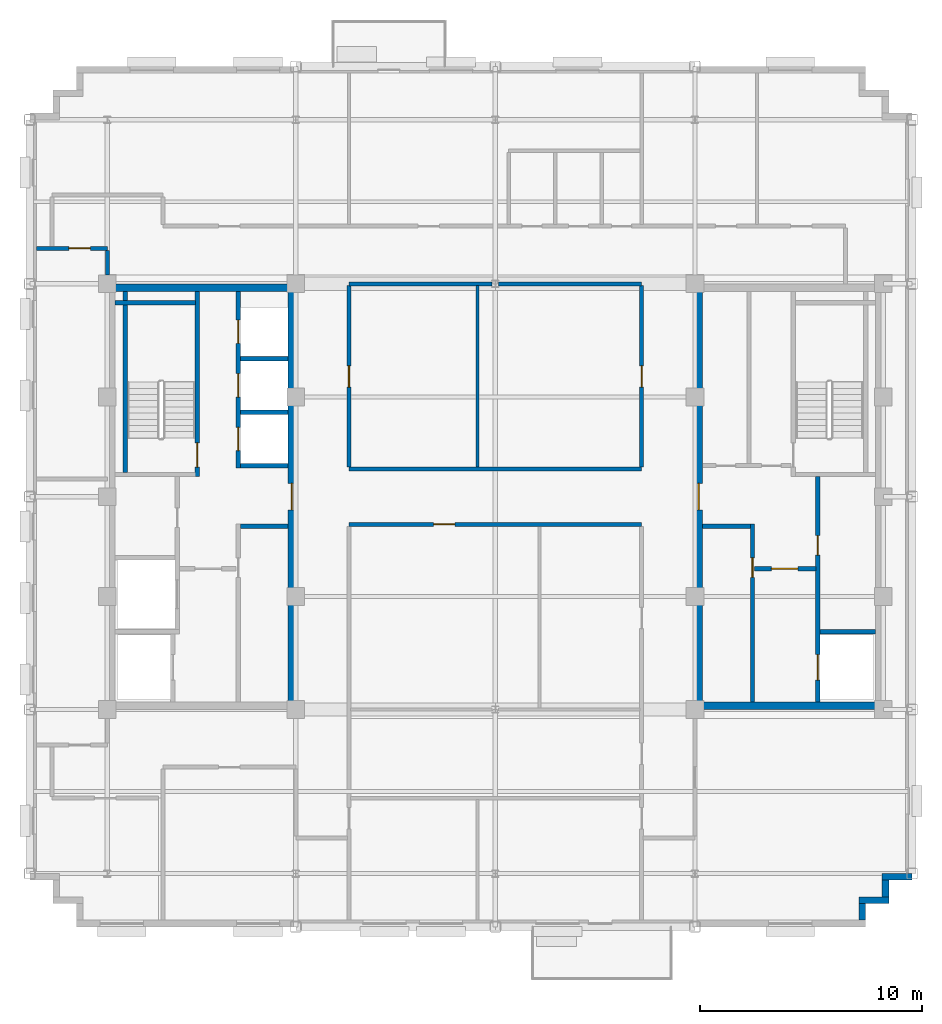
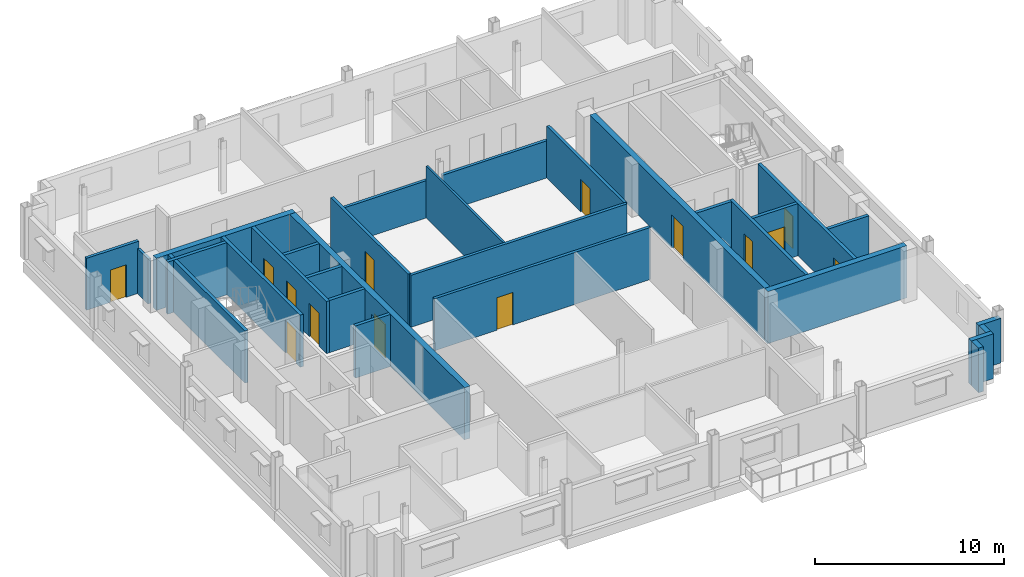
# One storey, part 7 of 13: 30 walls, 14 doors, 14 openings.
"""IFC4 building model written with IfcOpenShell, lengths in metres."""

from ifc_helpers import new_model, si_unit, direction, frame, frame_2d, origin, place, context, subcontext, project, spatial, rectangle, extrude, source, transform, mapped, material, layer, layer_set, type_object, type_shapes, element, fill, save


model = new_model("IFC4")

# Units and contexts
model_context = context("Model", 3, precision=1e-05, world=origin(), true_north=direction((0.0, 1.0)))
body_context = subcontext(model_context, "Body", "Model", "MODEL_VIEW")
ifc_project = project(units=[si_unit("LENGTHUNIT", "METRE"), si_unit("AREAUNIT", "SQUARE_METRE"), si_unit("VOLUMEUNIT", "CUBIC_METRE"), si_unit("PLANEANGLEUNIT", "RADIAN"), si_unit("MASSUNIT", "GRAM", prefix="KILO")], contexts=[model_context])

# Site, building, storey
site_placement = place(None, origin())
site = spatial("IfcSite", under=ifc_project, at=site_placement, CompositionType="ELEMENT")
building_placement = place(site_placement, origin())
building = spatial("IfcBuilding", under=site, at=building_placement, Name="Nuvemarco Arch Tower", CompositionType="ELEMENT")
storey_placement = place(building_placement, frame((0.0, 0.0, 276.199951171875)))
storey = spatial("IfcBuildingStorey", under=building, at=storey_placement, Name="L73", CompositionType="ELEMENT", Elevation=276.199951171875)

# Walls
ifc_material_1 = material(Name="Precast concrete C45/55", Category="concrete")
ifc_layer_1 = layer(ifc_material_1, 0.300048828125, Name="EW-HIGH-300")
ifc_layer_set_1 = layer_set([ifc_layer_1], Name="Precast concrete C45/55")
wall_type_1 = type_object("IfcWallType", Name="EW-HIGH-300", PredefinedType="STANDARD", material=ifc_layer_set_1)
wall_1_placement = place(storey_placement, frame((16.550048828125, -19.10400390625, 0.0), z_axis=(0.0, 0.0, 1.0), x_axis=(0.0, 1.0, 0.0)))
element("IfcWall", 1, at=wall_1_placement, inside=storey, type_object=wall_type_1, Name="L73 exterior precast facade wall 2", PredefinedType="STANDARD", context=body_context, shape_type="SweptSolid", body=[
    extrude(rectangle(XDim=0.758056640625, YDim=0.300048828125, at=frame_2d((0.37890625, 0.0))), origin(), (0.0, 0.0, 1.0), 2.89208984375),
])
wall_2_placement = place(storey_placement, frame((16.39990234375, -18.199951171875, 0.0), z_axis=(0.0, 0.0, 1.0), x_axis=(1.0, 0.0, 0.0)))
element("IfcWall", 2, at=wall_2_placement, inside=storey, type_object=wall_type_1, Name="L73 exterior precast facade wall 3", PredefinedType="STANDARD", context=body_context, shape_type="SweptSolid", body=[
    extrude(rectangle(XDim=1.35009765625, YDim=0.300048828125, at=frame_2d((0.675048828125, 0.0))), origin(), (0.0, 0.0, 1.0), 2.89208984375),
])
wall_3_placement = place(storey_placement, frame((17.60009765625, -18.053955078125, 0.0), z_axis=(0.0, 0.0, 1.0), x_axis=(0.0, 1.0, 0.0)))
element("IfcWall", 3, at=wall_3_placement, inside=storey, type_object=wall_type_1, Name="L73 exterior precast facade wall 4", PredefinedType="STANDARD", context=body_context, shape_type="SweptSolid", body=[
    extrude(rectangle(XDim=0.758056640625, YDim=0.300048828125, at=frame_2d((0.37890625, 0.0))), origin(), (0.0, 0.0, 1.0), 2.89208984375),
])
wall_4_placement = place(storey_placement, frame((17.449951171875, -17.14990234375, 0.0), z_axis=(0.0, 0.0, 1.0), x_axis=(1.0, 0.0, 0.0)))
element("IfcWall", 4, at=wall_4_placement, inside=storey, type_object=wall_type_1, Name="L73 exterior precast facade wall 5", PredefinedType="STANDARD", context=body_context, shape_type="SweptSolid", body=[
    extrude(rectangle(XDim=1.35009765625, YDim=0.300048828125, at=frame_2d((0.675048828125, 0.0))), origin(), (0.0, 0.0, 1.0), 2.89208984375),
])
ifc_material_2 = material(Name="Concrete C50/60", Category="concrete")
ifc_layer_2 = layer(ifc_material_2, 0.35009765625, Name="WL-CORE-350")
ifc_layer_set_2 = layer_set([ifc_layer_2], Name="Concrete C50/60")
wall_type_2 = type_object("IfcWallType", Name="WL-CORE-350", PredefinedType="SHEAR", material=ifc_layer_set_2)
wall_5_placement = place(storey_placement, frame((-17.5, 9.425048828125, 0.0), z_axis=(0.0, 0.0, 1.0), x_axis=(1.0, 0.0, 0.0)))
element("IfcWall", 5, at=wall_5_placement, inside=storey, type_object=wall_type_2, Name="L73 W-core shear wall N", PredefinedType="SHEAR", context=body_context, shape_type="SweptSolid", body=[
    extrude(rectangle(XDim=8.5, YDim=0.35009765625, at=frame_2d((4.25, 0.0))), origin(), (0.0, 0.0, 1.0), 3.3701171875),
])

# Wall, opening, door
wall_6_placement = place(storey_placement, frame((-9.175048828125, -9.2548828125, 0.0), z_axis=(0.0, 0.0, 1.0), x_axis=(0.0, 1.0, 0.0)))
wall_6 = element("IfcWall", 6, at=wall_6_placement, inside=storey, type_object=wall_type_2, Name="L73 W-core shear wall E", PredefinedType="SHEAR", context=body_context, shape_type="SweptSolid", body=[
    extrude(rectangle(XDim=18.509765625, YDim=0.35009765625, at=frame_2d((9.2548828125, 0.0))), origin(), (0.0, 0.0, 1.0), 3.3701171875),
])
opening_1_placement = place(wall_6_placement, frame((8.655029296875, 0.0, 0.0)))
opening_1 = element("IfcOpeningElement", 7, at=opening_1_placement, cuts=wall_6, Name="Opening FD-2", PredefinedType="OPENING", context=body_context, shape_type="SweptSolid", body=[
    extrude(rectangle(XDim=1.199951171875, YDim=2.14990234375, at=frame_2d((0.60009765625, 1.074951171875))), frame((0.0, 0.18505859375, 0.0), z_axis=(0.0, -1.0, 0.0), x_axis=(1.0, 0.0, 0.0)), (0.0, 0.0, 1.0), 0.3701171875),
])
ifc_material_3 = material(Name="Anodised steel fire door", Category="steel")
door_type_1 = type_object("IfcDoorType", Name="DR-FFLOB-FD", OperationType="NOTDEFINED", PredefinedType="DOOR", material=ifc_material_3)
shared_shape_1 = source(origin(), body_context, "Body", "SweptSolid", [
    extrude(rectangle(XDim=1.199951171875, YDim=2.14990234375, at=frame_2d((0.60009765625, 1.074951171875))), frame((0.0, 0.02490234375, 0.0), z_axis=(0.0, -1.0, 0.0), x_axis=(1.0, 0.0, 0.0)), (0.0, 0.0, 1.0), 0.050048828125),
])
type_shapes(door_type_1, [shared_shape_1])
door_1_placement = place(opening_1_placement, origin())
door_1 = element("IfcDoor", 8, at=door_1_placement, inside=storey, type_object=door_type_1, Name="L73 door FD-L73-WCORE-E", OperationType="SINGLE_SWING_RIGHT", OverallHeight=2.14990234375, OverallWidth=1.199951171875, PredefinedType="DOOR", context=body_context, shape_type="MappedRepresentation", body=[
    mapped(shared_shape_1, transform((0.0, 0.0, 0.0), scale=1.0)),
])
fill(opening_1, door_1)

# Wall
wall_7_placement = place(storey_placement, frame((9.0, -9.425048828125, 0.0), z_axis=(0.0, 0.0, 1.0), x_axis=(1.0, 0.0, 0.0)))
element("IfcWall", 9, at=wall_7_placement, inside=storey, type_object=wall_type_2, Name="L73 E-core shear wall S", PredefinedType="SHEAR", context=body_context, shape_type="SweptSolid", body=[
    extrude(rectangle(XDim=8.5, YDim=0.35009765625, at=frame_2d((4.25, 0.0))), origin(), (0.0, 0.0, 1.0), 3.3701171875),
])

# Wall, opening, door
wall_8_placement = place(storey_placement, frame((9.175048828125, -9.2548828125, 0.0), z_axis=(0.0, 0.0, 1.0), x_axis=(0.0, 1.0, 0.0)))
wall_8 = element("IfcWall", 10, at=wall_8_placement, inside=storey, type_object=wall_type_2, Name="L73 E-core shear wall W", PredefinedType="SHEAR", context=body_context, shape_type="SweptSolid", body=[
    extrude(rectangle(XDim=18.509765625, YDim=0.35009765625, at=frame_2d((9.2548828125, 0.0))), origin(), (0.0, 0.0, 1.0), 3.3701171875),
])
opening_2_placement = place(wall_8_placement, frame((8.655029296875, 0.0, 0.0)))
opening_2 = element("IfcOpeningElement", 11, at=opening_2_placement, cuts=wall_8, Name="Opening FD-2", PredefinedType="OPENING", context=body_context, shape_type="SweptSolid", body=[
    extrude(rectangle(XDim=1.199951171875, YDim=2.14990234375, at=frame_2d((0.60009765625, 1.074951171875))), frame((0.0, 0.18505859375, 0.0), z_axis=(0.0, -1.0, 0.0), x_axis=(1.0, 0.0, 0.0)), (0.0, 0.0, 1.0), 0.3701171875),
])
door_2_placement = place(opening_2_placement, origin())
door_2 = element("IfcDoor", 12, at=door_2_placement, inside=storey, type_object=door_type_1, Name="L73 door FD-L73-ECORE-W", OperationType="SINGLE_SWING_LEFT", OverallHeight=2.14990234375, OverallWidth=1.199951171875, PredefinedType="DOOR", context=body_context, shape_type="MappedRepresentation", body=[
    mapped(shared_shape_1, transform((0.0, 0.0, 0.0), scale=1.0)),
])
fill(opening_2, door_2)

ifc_material_4 = material(Name="Fire-rated gypsum drywall partition")
ifc_layer_3 = layer(ifc_material_4, 0.179931640625, Name="WL-CORR-180")
ifc_layer_set_3 = layer_set([ifc_layer_3], Name="Fire-rated gypsum drywall partition")
wall_type_3 = type_object("IfcWallType", Name="WL-CORR-180", PredefinedType="PARTITIONING", material=ifc_layer_set_3)
wall_9_placement = place(storey_placement, frame((-6.60009765625, -1.25, 0.0), z_axis=(0.0, 0.0, 1.0), x_axis=(1.0, 0.0, 0.0)))
wall_9 = element("IfcWall", 13, at=wall_9_placement, inside=storey, type_object=wall_type_3, Name="L73 interior wall IW-L73-009", PredefinedType="PARTITIONING", context=body_context, shape_type="SweptSolid", body=[
    extrude(rectangle(XDim=13.2001953125, YDim=0.179931640625, at=frame_2d((6.60009765625, 0.0))), origin(), (0.0, 0.0, 1.0), 3.360107421875),
])
opening_3_placement = place(wall_9_placement, frame((3.820068359375, 0.0, 0.0)))
opening_3 = element("IfcOpeningElement", 14, at=opening_3_placement, cuts=wall_9, Name="Opening FD-5", PredefinedType="OPENING", context=body_context, shape_type="SweptSolid", body=[
    extrude(rectangle(XDim=0.9599609375, YDim=2.10009765625, at=frame_2d((0.47998046875, 1.050048828125))), frame((0.0, 0.099853515625, 0.0), z_axis=(0.0, -1.0, 0.0), x_axis=(1.0, 0.0, 0.0)), (0.0, 0.0, 1.0), 0.199951171875),
])
ifc_material_5 = material(Name="Timber fire door", Category="wood")
door_type_2 = type_object("IfcDoorType", Name="DR-CORR-FD", OperationType="NOTDEFINED", PredefinedType="DOOR", material=ifc_material_5)
shared_shape_2 = source(origin(), body_context, "Body", "SweptSolid", [
    extrude(rectangle(XDim=0.9599609375, YDim=2.10009765625, at=frame_2d((0.47998046875, 1.050048828125))), frame((0.0, 0.02490234375, 0.0), z_axis=(0.0, -1.0, 0.0), x_axis=(1.0, 0.0, 0.0)), (0.0, 0.0, 1.0), 0.050048828125),
])
type_shapes(door_type_2, [shared_shape_2])
door_3_placement = place(opening_3_placement, origin())
door_3 = element("IfcDoor", 15, at=door_3_placement, inside=storey, type_object=door_type_2, Name="L73 door DR-L73-C_S1", OperationType="SINGLE_SWING_RIGHT", OverallHeight=2.10009765625, OverallWidth=0.9599609375, PredefinedType="DOOR", context=body_context, shape_type="MappedRepresentation", body=[
    mapped(shared_shape_2, transform((0.0, 0.0, 0.0), scale=1.0)),
])
fill(opening_3, door_3)

# Walls
wall_10_placement = place(storey_placement, frame((-6.60009765625, 1.25, 0.0), z_axis=(0.0, 0.0, 1.0), x_axis=(1.0, 0.0, 0.0)))
element("IfcWall", 16, at=wall_10_placement, inside=storey, type_object=wall_type_3, Name="L73 interior wall IW-L73-011", PredefinedType="PARTITIONING", context=body_context, shape_type="SweptSolid", body=[
    extrude(rectangle(XDim=13.2001953125, YDim=0.179931640625, at=frame_2d((6.60009765625, 0.0))), origin(), (0.0, 0.0, 1.0), 3.360107421875),
])
for number, where, z_axis, x_axis, name in (
    (17, (-6.60009765625, 9.60009765625, 0.0), (0.0, 0.0, 1.0), (1.0, 0.0, 0.0), "L73 interior wall IW-L73-012"),
    (18, (0.15087890625, 9.60009765625, 0.0), (0.0, 0.0, 1.0), (1.0, 0.0, 0.0), "L73 interior wall IW-L73-013"),
):
    element("IfcWall", number, at=place(storey_placement, frame(where, z_axis=z_axis, x_axis=x_axis)), inside=storey, type_object=wall_type_3, Name=name, PredefinedType="PARTITIONING", context=body_context, shape_type="SweptSolid", body=[
        extrude(rectangle(XDim=6.44921875, YDim=0.179931640625, at=frame_2d((3.224609375, 0.0))), origin(), (0.0, 0.0, 1.0), 2.405029296875),
    ])

# Wall, opening, door
wall_11_placement = place(storey_placement, frame((-20.699951171875, 11.199951171875, 0.0), z_axis=(0.0, 0.0, 1.0), x_axis=(1.0, 0.0, 0.0)))
wall_11 = element("IfcWall", 19, at=wall_11_placement, inside=storey, type_object=wall_type_3, Name="L73 interior wall IW-L73-014", PredefinedType="PARTITIONING", context=body_context, shape_type="SweptSolid", body=[
    extrude(rectangle(XDim=3.199951171875, YDim=0.179931640625, at=frame_2d((1.60009765625, 0.0))), origin(), (0.0, 0.0, 1.0), 3.360107421875),
])
opening_4_placement = place(wall_11_placement, frame((1.469970703125, 0.0, 0.0)))
opening_4 = element("IfcOpeningElement", 20, at=opening_4_placement, cuts=wall_11, Name="Opening FD-5", PredefinedType="OPENING", context=body_context, shape_type="SweptSolid", body=[
    extrude(rectangle(XDim=0.9599609375, YDim=2.10009765625, at=frame_2d((0.47998046875, 1.050048828125))), frame((0.0, 0.099853515625, 0.0), z_axis=(0.0, -1.0, 0.0), x_axis=(1.0, 0.0, 0.0)), (0.0, 0.0, 1.0), 0.199951171875),
])
door_4_placement = place(opening_4_placement, origin())
door_4 = element("IfcDoor", 21, at=door_4_placement, inside=storey, type_object=door_type_2, Name="L73 door DR-L73-W_2", OperationType="SINGLE_SWING_LEFT", OverallHeight=2.10009765625, OverallWidth=0.9599609375, PredefinedType="DOOR", context=body_context, shape_type="MappedRepresentation", body=[
    mapped(shared_shape_2, transform((0.0, 0.0, 0.0), scale=1.0)),
])
fill(opening_4, door_4)

# Wall
wall_12_placement = place(storey_placement, frame((-17.5, 9.99609375, 0.0), z_axis=(0.0, 0.0, 1.0), x_axis=(0.0, 1.0, 0.0)))
element("IfcWall", 22, at=wall_12_placement, inside=storey, type_object=wall_type_3, Name="L73 interior wall IW-L73-021", PredefinedType="PARTITIONING", context=body_context, shape_type="SweptSolid", body=[
    extrude(rectangle(XDim=1.117919921875, YDim=0.179931640625, at=frame_2d((0.55908203125, 0.0))), origin(), (0.0, 0.0, 1.0), 2.89208984375),
])

# Wall, opening, door
wall_13_placement = place(storey_placement, frame((-6.60009765625, 1.3359375, 0.0), z_axis=(0.0, 0.0, 1.0), x_axis=(0.0, 1.0, 0.0)))
wall_13 = element("IfcWall", 23, at=wall_13_placement, inside=storey, type_object=wall_type_3, Name="L73 interior wall IW-L73-026", PredefinedType="PARTITIONING", context=body_context, shape_type="SweptSolid", body=[
    extrude(rectangle(XDim=8.177978515625, YDim=0.179931640625, at=frame_2d((4.0888671875, 0.0))), origin(), (0.0, 0.0, 1.0), 3.360107421875),
])
opening_5_placement = place(wall_13_placement, frame((3.60888671875, 0.0, 0.0)))
opening_5 = element("IfcOpeningElement", 24, at=opening_5_placement, cuts=wall_13, Name="Opening FD-5", PredefinedType="OPENING", context=body_context, shape_type="SweptSolid", body=[
    extrude(rectangle(XDim=0.9599609375, YDim=2.10009765625, at=frame_2d((0.47998046875, 1.050048828125))), frame((0.0, 0.099853515625, 0.0), z_axis=(0.0, -1.0, 0.0), x_axis=(1.0, 0.0, 0.0)), (0.0, 0.0, 1.0), 0.199951171875),
])
door_5_placement = place(opening_5_placement, origin())
door_5 = element("IfcDoor", 25, at=door_5_placement, inside=storey, type_object=door_type_2, Name="L73 door DR-L73-C_N1", OperationType="SINGLE_SWING_RIGHT", OverallHeight=2.10009765625, OverallWidth=0.9599609375, PredefinedType="DOOR", context=body_context, shape_type="MappedRepresentation", body=[
    mapped(shared_shape_2, transform((0.0, 0.0, 0.0), scale=1.0)),
])
fill(opening_5, door_5)

wall_14_placement = place(storey_placement, frame((6.60009765625, 1.3359375, 0.0), z_axis=(0.0, 0.0, 1.0), x_axis=(0.0, 1.0, 0.0)))
wall_14 = element("IfcWall", 26, at=wall_14_placement, inside=storey, type_object=wall_type_3, Name="L73 interior wall IW-L73-035", PredefinedType="PARTITIONING", context=body_context, shape_type="SweptSolid", body=[
    extrude(rectangle(XDim=8.177978515625, YDim=0.179931640625, at=frame_2d((4.0888671875, 0.0))), origin(), (0.0, 0.0, 1.0), 3.360107421875),
])
opening_6_placement = place(wall_14_placement, frame((3.60888671875, 0.0, 0.0)))
opening_6 = element("IfcOpeningElement", 27, at=opening_6_placement, cuts=wall_14, Name="Opening FD-5", PredefinedType="OPENING", context=body_context, shape_type="SweptSolid", body=[
    extrude(rectangle(XDim=0.9599609375, YDim=2.10009765625, at=frame_2d((0.47998046875, 1.050048828125))), frame((0.0, 0.099853515625, 0.0), z_axis=(0.0, -1.0, 0.0), x_axis=(1.0, 0.0, 0.0)), (0.0, 0.0, 1.0), 0.199951171875),
])
door_6_placement = place(opening_6_placement, origin())
door_6 = element("IfcDoor", 28, at=door_6_placement, inside=storey, type_object=door_type_2, Name="L73 door DR-L73-C_N2", OperationType="SINGLE_SWING_LEFT", OverallHeight=2.10009765625, OverallWidth=0.9599609375, PredefinedType="DOOR", context=body_context, shape_type="MappedRepresentation", body=[
    mapped(shared_shape_2, transform((0.0, 0.0, 0.0), scale=1.0)),
])
fill(opening_6, door_6)

# Wall
ifc_material_6 = material(Name="Glazed acoustic office partition")
ifc_layer_4 = layer(ifc_material_6, 0.1298828125, Name="WL-EXEC-130")
ifc_layer_set_4 = layer_set([ifc_layer_4], Name="Glazed acoustic office partition")
wall_type_4 = type_object("IfcWallType", Name="WL-EXEC-130", PredefinedType="PARTITIONING", material=ifc_layer_set_4)
wall_15_placement = place(storey_placement, frame((-0.800048828125, 1.3359375, 0.0), z_axis=(0.0, 0.0, 1.0), x_axis=(0.0, 1.0, 0.0)))
element("IfcWall", 29, at=wall_15_placement, inside=storey, type_object=wall_type_4, Name="L73 interior wall IW-L73-029", PredefinedType="PARTITIONING", context=body_context, shape_type="SweptSolid", body=[
    extrude(rectangle(XDim=8.177978515625, YDim=0.1298828125, at=frame_2d((4.0888671875, 0.0))), origin(), (0.0, 0.0, 1.0), 3.360107421875),
])

# Wall, opening, door
ifc_layer_5 = layer(ifc_material_2, 0.199951171875, Name="WL-SHAFT-220")
ifc_layer_set_5 = layer_set([ifc_layer_5], Name="Concrete C50/60")
wall_type_5 = type_object("IfcWallType", Name="WL-SHAFT-220", PredefinedType="SHEAR", material=ifc_layer_set_5)
wall_16_placement = place(storey_placement, frame((-13.43994140625, 0.89990234375, 0.0), z_axis=(0.0, 0.0, 1.0), x_axis=(0.0, 1.0, 0.0)))
wall_16 = element("IfcWall", 30, at=wall_16_placement, inside=storey, type_object=wall_type_5, Name="L73 structural shaft wall SW-L73-W-ST1E", PredefinedType="SHEAR", context=body_context, shape_type="SweptSolid", body=[
    extrude(rectangle(XDim=8.35498046875, YDim=0.199951171875, at=frame_2d((4.177490234375, 0.0))), origin(), (0.0, 0.0, 1.0), 3.3701171875),
])
opening_7_placement = place(wall_16_placement, frame((1.530029296875, 0.0, 0.0), z_axis=(0.0, 0.0, 1.0), x_axis=(-1.0, 0.0, 0.0)))
opening_7 = element("IfcOpeningElement", 31, at=opening_7_placement, cuts=wall_16, Name="Opening FD-1", PredefinedType="OPENING", context=body_context, shape_type="SweptSolid", body=[
    extrude(rectangle(XDim=1.10009765625, YDim=2.14990234375, at=frame_2d((0.550048828125, 1.074951171875))), frame((0.0, 0.10986328125, 0.0), z_axis=(0.0, -1.0, 0.0), x_axis=(1.0, 0.0, 0.0)), (0.0, 0.0, 1.0), 0.219970703125),
])
door_type_3 = type_object("IfcDoorType", Name="DR-STAIR-FD", OperationType="NOTDEFINED", PredefinedType="DOOR", material=ifc_material_3)
shared_shape_3 = source(origin(), body_context, "Body", "SweptSolid", [
    extrude(rectangle(XDim=1.10009765625, YDim=2.14990234375, at=frame_2d((0.550048828125, 1.074951171875))), frame((0.0, 0.02490234375, 0.0), z_axis=(0.0, -1.0, 0.0), x_axis=(1.0, 0.0, 0.0)), (0.0, 0.0, 1.0), 0.050048828125),
])
type_shapes(door_type_3, [shared_shape_3])
door_7_placement = place(opening_7_placement, origin())
door_7 = element("IfcDoor", 32, at=door_7_placement, inside=storey, type_object=door_type_3, Name="L73 door FD-L73-ST1", OperationType="SINGLE_SWING_RIGHT", OverallHeight=2.14990234375, OverallWidth=1.10009765625, PredefinedType="DOOR", context=body_context, shape_type="MappedRepresentation", body=[
    mapped(shared_shape_3, transform((0.0, 0.0, 0.0), scale=1.0)),
])
fill(opening_7, door_7)

# Walls
wall_17_placement = place(storey_placement, frame((-17.155029296875, 8.75, 0.0), z_axis=(0.0, 0.0, 1.0), x_axis=(1.0, 0.0, 0.0)))
element("IfcWall", 33, at=wall_17_placement, inside=storey, type_object=wall_type_5, Name="L73 structural shaft wall SW-L73-W-ST1N", PredefinedType="SHEAR", context=body_context, shape_type="SweptSolid", body=[
    extrude(rectangle(XDim=3.6201171875, YDim=0.199951171875, at=frame_2d((1.81005859375, 0.0))), origin(), (0.0, 0.0, 1.0), 3.3701171875),
])
wall_18_placement = place(storey_placement, frame((-16.699951171875, 1.094970703125, 0.0), z_axis=(0.0, 0.0, 1.0), x_axis=(0.0, 1.0, 0.0)))
element("IfcWall", 34, at=wall_18_placement, inside=storey, type_object=wall_type_5, Name="L73 structural shaft wall SW-L73-W-ST1W", PredefinedType="SHEAR", context=body_context, shape_type="SweptSolid", body=[
    extrude(rectangle(XDim=8.159912109375, YDim=0.199951171875, at=frame_2d((4.080078125, 0.0))), origin(), (0.0, 0.0, 1.0), 3.3701171875),
])
wall_19_placement = place(storey_placement, frame((-11.5048828125, -1.330078125, 0.0), z_axis=(0.0, 0.0, 1.0), x_axis=(1.0, 0.0, 0.0)))
element("IfcWall", 35, at=wall_19_placement, inside=storey, type_object=wall_type_5, Name="L73 structural shaft wall SW-L73-W-PLTOP", PredefinedType="SHEAR", context=body_context, shape_type="SweptSolid", body=[
    extrude(rectangle(XDim=2.159912109375, YDim=0.199951171875, at=frame_2d((1.080078125, 0.0))), origin(), (0.0, 0.0, 1.0), 3.3701171875),
])

# Wall, openings, doors
wall_20_placement = place(storey_placement, frame((-11.60009765625, 1.300048828125, 0.0), z_axis=(0.0, 0.0, 1.0), x_axis=(0.0, 1.0, 0.0)))
wall_20 = element("IfcWall", 36, at=wall_20_placement, inside=storey, type_object=wall_type_5, Name="L73 structural shaft wall SW-L73-W-PHW", PredefinedType="SHEAR", context=body_context, shape_type="SweptSolid", body=[
    extrude(rectangle(XDim=7.954833984375, YDim=0.199951171875, at=frame_2d((3.9775390625, 0.0))), origin(), (0.0, 0.0, 1.0), 3.3701171875),
])
opening_8_placement = place(wall_20_placement, frame((0.77490234375, 0.0, 0.0)))
opening_8 = element("IfcOpeningElement", 37, at=opening_8_placement, cuts=wall_20, Name="Opening LD-1", PredefinedType="OPENING", context=body_context, shape_type="SweptSolid", body=[
    extrude(rectangle(XDim=1.050048828125, YDim=2.14990234375, at=frame_2d((0.52490234375, 1.074951171875))), frame((0.0, 0.10986328125, 0.0), z_axis=(0.0, -1.0, 0.0), x_axis=(1.0, 0.0, 0.0)), (0.0, 0.0, 1.0), 0.219970703125),
])
opening_9_placement = place(wall_20_placement, frame((3.195068359375, 0.0, 0.0)))
opening_9 = element("IfcOpeningElement", 38, at=opening_9_placement, cuts=wall_20, Name="Opening LD-1", PredefinedType="OPENING", context=body_context, shape_type="SweptSolid", body=[
    extrude(rectangle(XDim=1.050048828125, YDim=2.14990234375, at=frame_2d((0.52490234375, 1.074951171875))), frame((0.0, 0.10986328125, 0.0), z_axis=(0.0, -1.0, 0.0), x_axis=(1.0, 0.0, 0.0)), (0.0, 0.0, 1.0), 0.219970703125),
])
opening_10_placement = place(wall_20_placement, frame((5.614990234375, 0.0, 0.0)))
opening_10 = element("IfcOpeningElement", 39, at=opening_10_placement, cuts=wall_20, Name="Opening LD-1", PredefinedType="OPENING", context=body_context, shape_type="SweptSolid", body=[
    extrude(rectangle(XDim=1.050048828125, YDim=2.14990234375, at=frame_2d((0.52490234375, 1.074951171875))), frame((0.0, 0.10986328125, 0.0), z_axis=(0.0, -1.0, 0.0), x_axis=(1.0, 0.0, 0.0)), (0.0, 0.0, 1.0), 0.219970703125),
])
ifc_material_7 = material(Name="Stainless steel lift door", Category="steel")
door_type_4 = type_object("IfcDoorType", Name="DR-LIFT-PASS", OperationType="DOUBLE_DOOR_SLIDING", PredefinedType="DOOR", material=ifc_material_7)
shared_shape_4 = source(origin(), body_context, "Body", "SweptSolid", [
    extrude(rectangle(XDim=1.050048828125, YDim=2.14990234375, at=frame_2d((0.52490234375, 1.074951171875))), frame((0.0, 0.02490234375, 0.0), z_axis=(0.0, -1.0, 0.0), x_axis=(1.0, 0.0, 0.0)), (0.0, 0.0, 1.0), 0.050048828125),
])
type_shapes(door_type_4, [shared_shape_4])
door_8_placement = place(opening_8_placement, origin())
door_8 = element("IfcDoor", 40, at=door_8_placement, inside=storey, type_object=door_type_4, Name="L73 Lift landing sliding door PH-1", OperationType="DOUBLE_DOOR_SLIDING", OverallHeight=2.14990234375, OverallWidth=1.050048828125, PredefinedType="DOOR", context=body_context, shape_type="MappedRepresentation", body=[
    mapped(shared_shape_4, transform((0.0, 0.0, 0.0), scale=1.0)),
])
fill(opening_8, door_8)
door_9_placement = place(opening_9_placement, origin())
door_9 = element("IfcDoor", 41, at=door_9_placement, inside=storey, type_object=door_type_4, Name="L73 Lift landing sliding door PH-2", OperationType="DOUBLE_DOOR_SLIDING", OverallHeight=2.14990234375, OverallWidth=1.050048828125, PredefinedType="DOOR", context=body_context, shape_type="MappedRepresentation", body=[
    mapped(shared_shape_4, transform((0.0, 0.0, 0.0), scale=1.0)),
])
fill(opening_9, door_9)
door_10_placement = place(opening_10_placement, origin())
door_10 = element("IfcDoor", 42, at=door_10_placement, inside=storey, type_object=door_type_4, Name="L73 Lift landing sliding door PH-3", OperationType="DOUBLE_DOOR_SLIDING", OverallHeight=2.14990234375, OverallWidth=1.050048828125, PredefinedType="DOOR", context=body_context, shape_type="MappedRepresentation", body=[
    mapped(shared_shape_4, transform((0.0, 0.0, 0.0), scale=1.0)),
])
fill(opening_10, door_10)

# Walls
for number, where, z_axis, x_axis, name in (
    (43, (-11.5048828125, 1.39990234375, 0.0), (0.0, 0.0, 1.0), (1.0, 0.0, 0.0), "L73 structural shaft wall SW-L73-W-PHD1"),
    (44, (-11.5048828125, 3.800048828125, 0.0), (0.0, 0.0, 1.0), (1.0, 0.0, 0.0), "L73 structural shaft wall SW-L73-W-PHD2"),
    (45, (-11.5048828125, 6.219970703125, 0.0), (0.0, 0.0, 1.0), (1.0, 0.0, 0.0), "L73 structural shaft wall SW-L73-W-PHD3"),
):
    element("IfcWall", number, at=place(storey_placement, frame(where, z_axis=z_axis, x_axis=x_axis)), inside=storey, type_object=wall_type_5, Name=name, PredefinedType="SHEAR", context=body_context, shape_type="SweptSolid", body=[
        extrude(rectangle(XDim=2.159912109375, YDim=0.199951171875, at=frame_2d((1.080078125, 0.0))), origin(), (0.0, 0.0, 1.0), 3.3701171875),
    ])

# Wall, openings, doors
wall_21_placement = place(storey_placement, frame((14.550048828125, -9.2548828125, 0.0), z_axis=(0.0, 0.0, 1.0), x_axis=(0.0, 1.0, 0.0)))
wall_21 = element("IfcWall", 46, at=wall_21_placement, inside=storey, type_object=wall_type_5, Name="L73 structural shaft wall SW-L73-E-SHW", PredefinedType="SHEAR", context=body_context, shape_type="SweptSolid", body=[
    extrude(rectangle(XDim=10.159912109375, YDim=0.199951171875, at=frame_2d((5.080078125, 0.0))), origin(), (0.0, 0.0, 1.0), 3.3701171875),
])
opening_11_placement = place(wall_21_placement, frame((6.614990234375, 0.0, 0.0)))
opening_11 = element("IfcOpeningElement", 47, at=opening_11_placement, cuts=wall_21, Name="Opening FD-4", PredefinedType="OPENING", context=body_context, shape_type="SweptSolid", body=[
    extrude(rectangle(XDim=0.8798828125, YDim=2.10009765625, at=frame_2d((0.43994140625, 1.050048828125))), frame((0.0, 0.10986328125, 0.0), z_axis=(0.0, -1.0, 0.0), x_axis=(1.0, 0.0, 0.0)), (0.0, 0.0, 1.0), 0.219970703125),
])
opening_12_placement = place(wall_21_placement, frame((0.97998046875, 0.0, 0.0)))
opening_12 = element("IfcOpeningElement", 48, at=opening_12_placement, cuts=wall_21, Name="Opening LD-2", PredefinedType="OPENING", context=body_context, shape_type="SweptSolid", body=[
    extrude(rectangle(XDim=1.14990234375, YDim=2.14990234375, at=frame_2d((0.574951171875, 1.074951171875))), frame((0.0, 0.10986328125, 0.0), z_axis=(0.0, -1.0, 0.0), x_axis=(1.0, 0.0, 0.0)), (0.0, 0.0, 1.0), 0.219970703125),
])
door_type_5 = type_object("IfcDoorType", Name="DR-RISER-FD", OperationType="NOTDEFINED", PredefinedType="DOOR", material=ifc_material_3)
shared_shape_5 = source(origin(), body_context, "Body", "SweptSolid", [
    extrude(rectangle(XDim=0.8798828125, YDim=2.10009765625, at=frame_2d((0.43994140625, 1.050048828125))), frame((0.0, 0.02490234375, 0.0), z_axis=(0.0, -1.0, 0.0), x_axis=(1.0, 0.0, 0.0)), (0.0, 0.0, 1.0), 0.050048828125),
])
type_shapes(door_type_5, [shared_shape_5])
door_11_placement = place(opening_11_placement, origin())
door_11 = element("IfcDoor", 49, at=door_11_placement, inside=storey, type_object=door_type_5, Name="L73 door FD-L73-ERIS", OperationType="SINGLE_SWING_LEFT", OverallHeight=2.10009765625, OverallWidth=0.8798828125, PredefinedType="DOOR", context=body_context, shape_type="MappedRepresentation", body=[
    mapped(shared_shape_5, transform((0.0, 0.0, 0.0), scale=1.0)),
])
fill(opening_11, door_11)
door_type_6 = type_object("IfcDoorType", Name="DR-LIFT-FIRE", OperationType="DOUBLE_DOOR_SLIDING", PredefinedType="DOOR", material=ifc_material_7)
shared_shape_6 = source(origin(), body_context, "Body", "SweptSolid", [
    extrude(rectangle(XDim=1.14990234375, YDim=2.14990234375, at=frame_2d((0.574951171875, 1.074951171875))), frame((0.0, 0.02490234375, 0.0), z_axis=(0.0, -1.0, 0.0), x_axis=(1.0, 0.0, 0.0)), (0.0, 0.0, 1.0), 0.050048828125),
])
type_shapes(door_type_6, [shared_shape_6])
door_12_placement = place(opening_12_placement, origin())
door_12 = element("IfcDoor", 50, at=door_12_placement, inside=storey, type_object=door_type_6, Name="L73 Lift landing sliding door FFL-2", OperationType="DOUBLE_DOOR_SLIDING", OverallHeight=2.14990234375, OverallWidth=1.14990234375, PredefinedType="DOOR", context=body_context, shape_type="MappedRepresentation", body=[
    mapped(shared_shape_6, transform((0.0, 0.0, 0.0), scale=1.0)),
])
fill(opening_12, door_12)

# Wall
wall_22_placement = place(storey_placement, frame((14.64501953125, -6.10009765625, 0.0), z_axis=(0.0, 0.0, 1.0), x_axis=(1.0, 0.0, 0.0)))
element("IfcWall", 51, at=wall_22_placement, inside=storey, type_object=wall_type_5, Name="L73 structural shaft wall SW-L73-E-SH1", PredefinedType="SHEAR", context=body_context, shape_type="SweptSolid", body=[
    extrude(rectangle(XDim=2.510009765625, YDim=0.199951171875, at=frame_2d((1.2548828125, 0.0))), origin(), (0.0, 0.0, 1.0), 3.3701171875),
])

# Wall, opening, door
wall_23_placement = place(storey_placement, frame((11.60009765625, -9.2548828125, 0.0), z_axis=(0.0, 0.0, 1.0), x_axis=(0.0, 1.0, 0.0)))
wall_23 = element("IfcWall", 52, at=wall_23_placement, inside=storey, type_object=wall_type_5, Name="L73 structural shaft wall SW-L73-E-PME", PredefinedType="SHEAR", context=body_context, shape_type="SweptSolid", body=[
    extrude(rectangle(XDim=8.02490234375, YDim=0.199951171875, at=frame_2d((4.012451171875, 0.0))), origin(), (0.0, 0.0, 1.0), 3.3701171875),
])
opening_13_placement = place(wall_23_placement, frame((5.614990234375, 0.0, 0.0)))
opening_13 = element("IfcOpeningElement", 53, at=opening_13_placement, cuts=wall_23, Name="Opening FD-4", PredefinedType="OPENING", context=body_context, shape_type="SweptSolid", body=[
    extrude(rectangle(XDim=0.8798828125, YDim=2.10009765625, at=frame_2d((0.43994140625, 1.050048828125))), frame((0.0, 0.10986328125, 0.0), z_axis=(0.0, -1.0, 0.0), x_axis=(1.0, 0.0, 0.0)), (0.0, 0.0, 1.0), 0.219970703125),
])
door_13_placement = place(opening_13_placement, origin())
door_13 = element("IfcDoor", 54, at=door_13_placement, inside=storey, type_object=door_type_5, Name="L73 door FD-L73-ERECPM", OperationType="SINGLE_SWING_LEFT", OverallHeight=2.10009765625, OverallWidth=0.8798828125, PredefinedType="DOOR", context=body_context, shape_type="MappedRepresentation", body=[
    mapped(shared_shape_5, transform((0.0, 0.0, 0.0), scale=1.0)),
])
fill(opening_13, door_13)

wall_24_placement = place(storey_placement, frame((11.695068359375, -3.25, 0.0), z_axis=(0.0, 0.0, 1.0), x_axis=(1.0, 0.0, 0.0)))
wall_24 = element("IfcWall", 55, at=wall_24_placement, inside=storey, type_object=wall_type_5, Name="L73 structural shaft wall SW-L73-E-FFN", PredefinedType="SHEAR", context=body_context, shape_type="SweptSolid", body=[
    extrude(rectangle(XDim=2.760009765625, YDim=0.199951171875, at=frame_2d((1.3798828125, 0.0))), origin(), (0.0, 0.0, 1.0), 3.3701171875),
])
opening_14_placement = place(wall_24_placement, frame((0.7548828125, 0.0, 0.0)))
opening_14 = element("IfcOpeningElement", 56, at=opening_14_placement, cuts=wall_24, Name="Opening FD-2", PredefinedType="OPENING", context=body_context, shape_type="SweptSolid", body=[
    extrude(rectangle(XDim=1.199951171875, YDim=2.14990234375, at=frame_2d((0.60009765625, 1.074951171875))), frame((0.0, 0.10986328125, 0.0), z_axis=(0.0, -1.0, 0.0), x_axis=(1.0, 0.0, 0.0)), (0.0, 0.0, 1.0), 0.219970703125),
])
door_14_placement = place(opening_14_placement, origin())
door_14 = element("IfcDoor", 57, at=door_14_placement, inside=storey, type_object=door_type_1, Name="L73 door FD-L73-EFF2", OperationType="SINGLE_SWING_LEFT", OverallHeight=2.14990234375, OverallWidth=1.199951171875, PredefinedType="DOOR", context=body_context, shape_type="MappedRepresentation", body=[
    mapped(shared_shape_1, transform((0.0, 0.0, 0.0), scale=1.0)),
])
fill(opening_14, door_14)

# Wall
wall_25_placement = place(storey_placement, frame((9.344970703125, -1.330078125, 0.0), z_axis=(0.0, 0.0, 1.0), x_axis=(1.0, 0.0, 0.0)))
element("IfcWall", 58, at=wall_25_placement, inside=storey, type_object=wall_type_5, Name="L73 structural shaft wall SW-L73-E-PMTOP", PredefinedType="SHEAR", context=body_context, shape_type="SweptSolid", body=[
    extrude(rectangle(XDim=2.159912109375, YDim=0.199951171875, at=frame_2d((1.080078125, 0.0))), origin(), (0.0, 0.0, 1.0), 3.3701171875),
])

save(model, "model.ifc")
